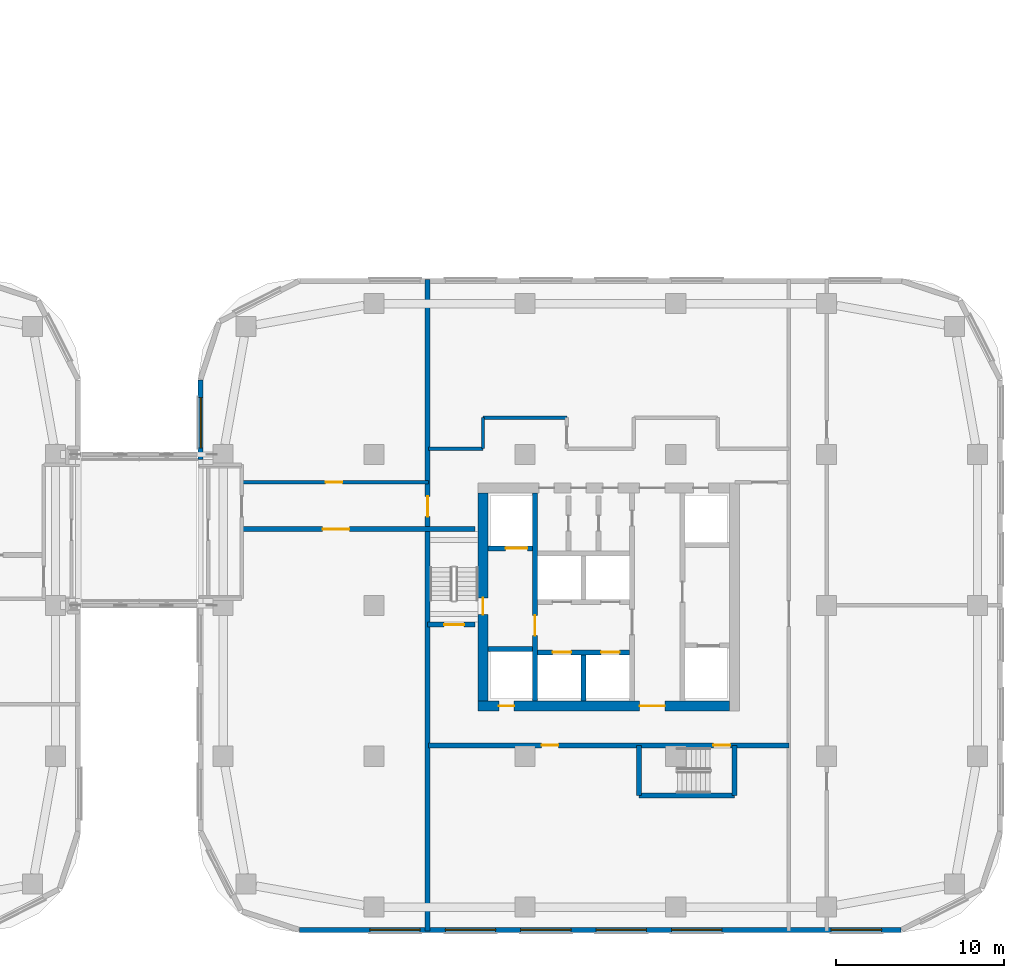
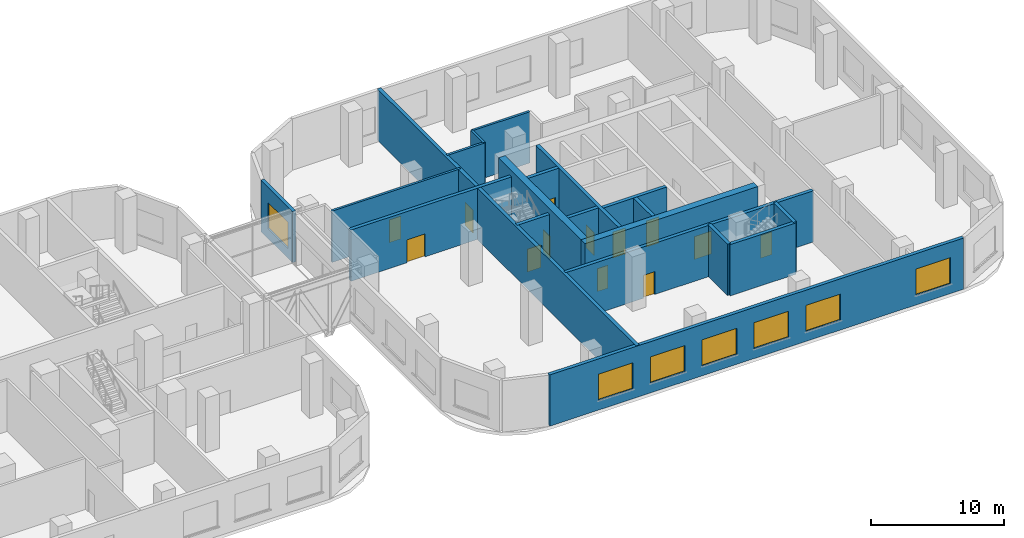
# One storey, part 12 of 35: 20 walls, 13 doors, 7 windows, 20 openings.
"""IFC4 building model written with IfcOpenShell, lengths in metres."""

from ifc_helpers import new_model, si_unit, direction, frame, frame_2d, origin, place, context, subcontext, project, spatial, rectangle, extrude, material, layer, layer_set, type_object, element, fill, save


model = new_model("IFC4")

# Units and contexts
model_context = context("Model", 3, precision=1e-05, world=origin(), true_north=direction((0.0, 1.0)))
body_context = subcontext(model_context, "Body", "Model", "MODEL_VIEW")
ifc_project = project(units=[si_unit("LENGTHUNIT", "METRE"), si_unit("AREAUNIT", "SQUARE_METRE"), si_unit("VOLUMEUNIT", "CUBIC_METRE"), si_unit("PLANEANGLEUNIT", "RADIAN"), si_unit("MASSUNIT", "GRAM", prefix="KILO")], contexts=[model_context])

# Site, building, storey
site_placement = place(None, origin())
site = spatial("IfcSite", under=ifc_project, at=site_placement, CompositionType="ELEMENT")
building_placement = place(site_placement, origin())
building = spatial("IfcBuilding", under=site, at=building_placement, Name="Ogive Portal Towers", CompositionType="ELEMENT")
storey_placement = place(building_placement, frame((0.0, 0.0, 23.5)))
storey = spatial("IfcBuildingStorey", under=building, at=storey_placement, Name="L04", CompositionType="ELEMENT", Elevation=23.5)

# Wall, opening, door
ifc_material_1 = material(Name="Concrete C60/75", Category="concrete")
ifc_layer_1 = layer(ifc_material_1, 0.300048828125)
ifc_layer_set_1 = layer_set([ifc_layer_1], Name="CORE WALL 300 C60")
wall_type_1 = type_object("IfcWallType", Name="CORE WALL 300 C60", PredefinedType="SHEAR", material=ifc_layer_set_1)
wall_1_placement = place(storey_placement, frame((132.10009765625, 24.800048828125, 0.0), z_axis=(0.0, 0.0, 1.0), x_axis=(0.0, 1.0, 0.0)))
wall_1 = element("IfcWall", 1, at=wall_1_placement, inside=storey, type_object=wall_type_1, Name="Tower B core wall BX1 L04", PredefinedType="SHEAR", context=body_context, shape_type="SweptSolid", body=[
    extrude(rectangle(XDim=12.39990234375, YDim=0.300048828125, at=frame_2d((6.199951171875, 0.0))), origin(), (0.0, 0.0, 1.0), 5.0),
])
opening_1_placement = place(wall_1_placement, frame((3.89990234375, 0.0, 0.0)))
opening_1 = element("IfcOpeningElement", 2, at=opening_1_placement, cuts=wall_1, Name="Opening P04-050", PredefinedType="OPENING", context=body_context, shape_type="SweptSolid", body=[
    extrude(rectangle(XDim=1.199951171875, YDim=2.10009765625, at=frame_2d((0.60009765625, 1.050048828125))), frame((0.0, 0.16015625, 0.0), z_axis=(0.0, -1.0, 0.0), x_axis=(1.0, 0.0, 0.0)), (0.0, 0.0, 1.0), 0.320068359375),
])
ifc_material_2 = material(Name="Steel fire door", Category="steel")
door_type_1 = type_object("IfcDoorType", Name="DT-SWING-1200x2100-FD90S", OperationType="SINGLE_SWING_LEFT", PredefinedType="DOOR", material=ifc_material_2)
door_1_placement = place(opening_1_placement, origin())
door_1 = element("IfcDoor", 3, at=door_1_placement, inside=storey, type_object=door_type_1, Name="Door P04-050", OperationType="SINGLE_SWING_LEFT", OverallHeight=2.10009765625, OverallWidth=1.199951171875, PredefinedType="DOOR", context=body_context, shape_type="SweptSolid", body=[
    extrude(rectangle(XDim=1.199951171875, YDim=2.10009765625, at=frame_2d((0.60009765625, 1.050048828125))), frame((0.0, 0.02490234375, 0.0), z_axis=(0.0, -1.0, 0.0), x_axis=(1.0, 0.0, 0.0)), (0.0, 0.0, 1.0), 0.050048828125),
])
fill(opening_1, door_1)

# Wall
wall_2_placement = place(storey_placement, frame((135.0, 24.800048828125, 0.0), z_axis=(0.0, 0.0, 1.0), x_axis=(0.0, 1.0, 0.0)))
element("IfcWall", 4, at=wall_2_placement, inside=storey, type_object=wall_type_1, Name="Tower B core wall BX4 L04", PredefinedType="SHEAR", context=body_context, shape_type="SweptSolid", body=[
    extrude(rectangle(XDim=2.75, YDim=0.300048828125, at=frame_2d((1.375, 0.0))), origin(), (0.0, 0.0, 1.0), 5.0),
])

# Wall, openings, doors
wall_3_placement = place(storey_placement, frame((132.25, 27.699951171875, 0.0), z_axis=(0.0, 0.0, 1.0), x_axis=(1.0, 0.0, 0.0)))
wall_3 = element("IfcWall", 5, at=wall_3_placement, inside=storey, type_object=wall_type_1, Name="Tower B core wall BY1 L04", PredefinedType="SHEAR", context=body_context, shape_type="SweptSolid", body=[
    extrude(rectangle(XDim=5.5, YDim=0.300048828125, at=frame_2d((2.75, 0.0))), origin(), (0.0, 0.0, 1.0), 5.0),
])
opening_2_placement = place(wall_3_placement, frame((0.89990234375, 0.0, 0.0)))
opening_2 = element("IfcOpeningElement", 6, at=opening_2_placement, cuts=wall_3, Name="Opening P04-057", PredefinedType="OPENING", context=body_context, shape_type="SweptSolid", body=[
    extrude(rectangle(XDim=1.10009765625, YDim=2.39990234375, at=frame_2d((0.550048828125, 1.199951171875))), frame((0.0, 0.16015625, 0.0), z_axis=(0.0, -1.0, 0.0), x_axis=(1.0, 0.0, 0.0)), (0.0, 0.0, 1.0), 0.320068359375),
])
opening_3_placement = place(wall_3_placement, frame((3.800048828125, 0.0, 0.0)))
opening_3 = element("IfcOpeningElement", 7, at=opening_3_placement, cuts=wall_3, Name="Opening P04-058", PredefinedType="OPENING", context=body_context, shape_type="SweptSolid", body=[
    extrude(rectangle(XDim=1.10009765625, YDim=2.39990234375, at=frame_2d((0.550048828125, 1.199951171875))), frame((0.0, 0.16015625, 0.0), z_axis=(0.0, -1.0, 0.0), x_axis=(1.0, 0.0, 0.0)), (0.0, 0.0, 1.0), 0.320068359375),
])
ifc_material_3 = material(Name="Stainless steel", Category="steel")
door_type_2 = type_object("IfcDoorType", Name="DT-LD-1100x2400", OperationType="SLIDING_TO_LEFT", PredefinedType="DOOR", material=ifc_material_3)
door_2_placement = place(opening_2_placement, origin())
door_2 = element("IfcDoor", 8, at=door_2_placement, inside=storey, type_object=door_type_2, Name="Door P04-057", OperationType="SLIDING_TO_LEFT", OverallHeight=2.39990234375, OverallWidth=1.10009765625, PredefinedType="DOOR", context=body_context, shape_type="SweptSolid", body=[
    extrude(rectangle(XDim=1.10009765625, YDim=2.39990234375, at=frame_2d((0.550048828125, 1.199951171875))), frame((0.0, 0.02490234375, 0.0), z_axis=(0.0, -1.0, 0.0), x_axis=(1.0, 0.0, 0.0)), (0.0, 0.0, 1.0), 0.050048828125),
])
fill(opening_2, door_2)
door_3_placement = place(opening_3_placement, origin())
door_3 = element("IfcDoor", 9, at=door_3_placement, inside=storey, type_object=door_type_2, Name="Door P04-058", OperationType="SLIDING_TO_LEFT", OverallHeight=2.39990234375, OverallWidth=1.10009765625, PredefinedType="DOOR", context=body_context, shape_type="SweptSolid", body=[
    extrude(rectangle(XDim=1.10009765625, YDim=2.39990234375, at=frame_2d((0.550048828125, 1.199951171875))), frame((0.0, 0.02490234375, 0.0), z_axis=(0.0, -1.0, 0.0), x_axis=(1.0, 0.0, 0.0)), (0.0, 0.0, 1.0), 0.050048828125),
])
fill(opening_3, door_3)

# Wall
wall_4_placement = place(storey_placement, frame((129.300048828125, 27.89990234375, 0.0), z_axis=(0.0, 0.0, 1.0), x_axis=(1.0, 0.0, 0.0)))
element("IfcWall", 10, at=wall_4_placement, inside=storey, type_object=wall_type_1, Name="Tower B core wall BY4 L04", PredefinedType="SHEAR", context=body_context, shape_type="SweptSolid", body=[
    extrude(rectangle(XDim=2.64990234375, YDim=0.300048828125, at=frame_2d((1.324951171875, 0.0))), origin(), (0.0, 0.0, 1.0), 5.0),
])

# Wall, opening, door
wall_5_placement = place(storey_placement, frame((129.300048828125, 33.89990234375, 0.0), z_axis=(0.0, 0.0, 1.0), x_axis=(1.0, 0.0, 0.0)))
wall_5 = element("IfcWall", 11, at=wall_5_placement, inside=storey, type_object=wall_type_1, Name="Tower B core wall BY5 L04", PredefinedType="SHEAR", context=body_context, shape_type="SweptSolid", body=[
    extrude(rectangle(XDim=2.64990234375, YDim=0.300048828125, at=frame_2d((1.324951171875, 0.0))), origin(), (0.0, 0.0, 1.0), 5.0),
])
opening_4_placement = place(wall_5_placement, frame((1.050048828125, 0.0, 0.0)))
opening_4 = element("IfcOpeningElement", 12, at=opening_4_placement, cuts=wall_5, Name="Opening P04-061", PredefinedType="OPENING", context=body_context, shape_type="SweptSolid", body=[
    extrude(rectangle(XDim=1.300048828125, YDim=2.39990234375, at=frame_2d((0.64990234375, 1.199951171875))), frame((0.0, 0.16015625, 0.0), z_axis=(0.0, -1.0, 0.0), x_axis=(1.0, 0.0, 0.0)), (0.0, 0.0, 1.0), 0.320068359375),
])
door_type_3 = type_object("IfcDoorType", Name="DT-LD-1300x2400", OperationType="SLIDING_TO_LEFT", PredefinedType="DOOR", material=ifc_material_3)
door_4_placement = place(opening_4_placement, origin())
door_4 = element("IfcDoor", 13, at=door_4_placement, inside=storey, type_object=door_type_3, Name="Door P04-061", OperationType="SLIDING_TO_LEFT", OverallHeight=2.39990234375, OverallWidth=1.300048828125, PredefinedType="DOOR", context=body_context, shape_type="SweptSolid", body=[
    extrude(rectangle(XDim=1.300048828125, YDim=2.39990234375, at=frame_2d((0.64990234375, 1.199951171875))), frame((0.0, 0.02490234375, 0.0), z_axis=(0.0, -1.0, 0.0), x_axis=(1.0, 0.0, 0.0)), (0.0, 0.0, 1.0), 0.050048828125),
])
fill(opening_4, door_4)

ifc_layer_2 = layer(ifc_material_1, 0.60009765625)
ifc_layer_set_2 = layer_set([ifc_layer_2], Name="CORE WALL 600 C60")
wall_type_2 = type_object("IfcWallType", Name="CORE WALL 600 C60", PredefinedType="SHEAR", material=ifc_layer_set_2)
wall_6_placement = place(storey_placement, frame((129.0, 24.800048828125, 0.0), z_axis=(0.0, 0.0, 1.0), x_axis=(0.0, 1.0, 0.0)))
wall_6 = element("IfcWall", 14, at=wall_6_placement, inside=storey, type_object=wall_type_2, Name="Tower B core wall BW L04", PredefinedType="SHEAR", context=body_context, shape_type="SweptSolid", body=[
    extrude(rectangle(XDim=12.39990234375, YDim=0.60009765625, at=frame_2d((6.199951171875, 0.0))), origin(), (0.0, 0.0, 1.0), 5.0),
])
opening_5_placement = place(wall_6_placement, frame((5.14990234375, 0.0, 0.0)))
opening_5 = element("IfcOpeningElement", 15, at=opening_5_placement, cuts=wall_6, Name="Opening P04-052", PredefinedType="OPENING", context=body_context, shape_type="SweptSolid", body=[
    extrude(rectangle(XDim=1.0, YDim=2.10009765625, at=frame_2d((0.5, 1.050048828125))), frame((0.0, 0.31005859375, 0.0), z_axis=(0.0, -1.0, 0.0), x_axis=(1.0, 0.0, 0.0)), (0.0, 0.0, 1.0), 0.6201171875),
])
door_type_4 = type_object("IfcDoorType", Name="DT-SWING-1000x2100-FD90S", OperationType="SINGLE_SWING_LEFT", PredefinedType="DOOR", material=ifc_material_2)
door_5_placement = place(opening_5_placement, origin())
door_5 = element("IfcDoor", 16, at=door_5_placement, inside=storey, type_object=door_type_4, Name="Door P04-052", OperationType="SINGLE_SWING_RIGHT", OverallHeight=2.10009765625, OverallWidth=1.0, PredefinedType="DOOR", context=body_context, shape_type="SweptSolid", body=[
    extrude(rectangle(XDim=1.0, YDim=2.10009765625, at=frame_2d((0.5, 1.050048828125))), frame((0.0, 0.02490234375, 0.0), z_axis=(0.0, -1.0, 0.0), x_axis=(1.0, 0.0, 0.0)), (0.0, 0.0, 1.0), 0.050048828125),
])
fill(opening_5, door_5)

# Wall, openings, doors
wall_7_placement = place(storey_placement, frame((128.699951171875, 24.5, 0.0), z_axis=(0.0, 0.0, 1.0), x_axis=(1.0, 0.0, 0.0)))
wall_7 = element("IfcWall", 17, at=wall_7_placement, inside=storey, type_object=wall_type_2, Name="Tower B core wall BS L04", PredefinedType="SHEAR", context=body_context, shape_type="SweptSolid", body=[
    extrude(rectangle(XDim=15.0, YDim=0.60009765625, at=frame_2d((7.5, 0.0))), origin(), (0.0, 0.0, 1.0), 5.0),
])
opening_6_placement = place(wall_7_placement, frame((9.64990234375, 0.0, 0.0)))
opening_6 = element("IfcOpeningElement", 18, at=opening_6_placement, cuts=wall_7, Name="Opening P04-053", PredefinedType="OPENING", context=body_context, shape_type="SweptSolid", body=[
    extrude(rectangle(XDim=1.5, YDim=2.10009765625, at=frame_2d((0.75, 1.050048828125))), frame((0.0, 0.31005859375, 0.0), z_axis=(0.0, -1.0, 0.0), x_axis=(1.0, 0.0, 0.0)), (0.0, 0.0, 1.0), 0.6201171875),
])
opening_7_placement = place(wall_7_placement, frame((1.25, 0.0, 0.0)))
opening_7 = element("IfcOpeningElement", 19, at=opening_7_placement, cuts=wall_7, Name="Opening P04-055", PredefinedType="OPENING", context=body_context, shape_type="SweptSolid", body=[
    extrude(rectangle(XDim=0.89990234375, YDim=2.10009765625, at=frame_2d((0.449951171875, 1.050048828125))), frame((0.0, 0.31005859375, 0.0), z_axis=(0.0, -1.0, 0.0), x_axis=(1.0, 0.0, 0.0)), (0.0, 0.0, 1.0), 0.6201171875),
])
door_type_5 = type_object("IfcDoorType", Name="DT-SWING-1500x2100-FD90S", OperationType="SINGLE_SWING_LEFT", PredefinedType="DOOR", material=ifc_material_2)
door_6_placement = place(opening_6_placement, origin())
door_6 = element("IfcDoor", 20, at=door_6_placement, inside=storey, type_object=door_type_5, Name="Door P04-053", OperationType="SINGLE_SWING_LEFT", OverallHeight=2.10009765625, OverallWidth=1.5, PredefinedType="DOOR", context=body_context, shape_type="SweptSolid", body=[
    extrude(rectangle(XDim=1.5, YDim=2.10009765625, at=frame_2d((0.75, 1.050048828125))), frame((0.0, 0.02490234375, 0.0), z_axis=(0.0, -1.0, 0.0), x_axis=(1.0, 0.0, 0.0)), (0.0, 0.0, 1.0), 0.050048828125),
])
fill(opening_6, door_6)
door_type_6 = type_object("IfcDoorType", Name="DT-SWING-900x2100-FD90S", OperationType="SINGLE_SWING_LEFT", PredefinedType="DOOR", material=ifc_material_2)
door_7_placement = place(opening_7_placement, origin())
door_7 = element("IfcDoor", 21, at=door_7_placement, inside=storey, type_object=door_type_6, Name="Riser access door P04-055", OperationType="SINGLE_SWING_LEFT", OverallHeight=2.10009765625, OverallWidth=0.89990234375, PredefinedType="DOOR", context=body_context, shape_type="SweptSolid", body=[
    extrude(rectangle(XDim=0.89990234375, YDim=2.10009765625, at=frame_2d((0.449951171875, 1.050048828125))), frame((0.0, 0.02490234375, 0.0), z_axis=(0.0, -1.0, 0.0), x_axis=(1.0, 0.0, 0.0)), (0.0, 0.0, 1.0), 0.050048828125),
])
fill(opening_7, door_7)

# Wall, openings, windows
ifc_material_4 = material(Name="Limestone cladding on lightweight block wall", Category="masonry")
ifc_layer_3 = layer(ifc_material_4, 0.300048828125)
ifc_layer_set_3 = layer_set([ifc_layer_3], Name="EXTERNAL WALL 300 STONE")
wall_type_3 = type_object("IfcWallType", Name="EXTERNAL WALL 300 STONE", PredefinedType="SOLIDWALL", material=ifc_layer_set_3)
wall_8_placement = place(storey_placement, frame((118.047607421875, 11.14990234375, 0.0), z_axis=(0.0, 0.0, 1.0), x_axis=(1.0, 0.0, 0.0)))
wall_8 = element("IfcWall", 22, at=wall_8_placement, inside=storey, type_object=wall_type_3, Name="B:L04:f02:w0", PredefinedType="SOLIDWALL", context=body_context, shape_type="SweptSolid", body=[
    extrude(rectangle(XDim=35.88037109375, YDim=0.300048828125, at=frame_2d((17.940185546875, 0.0))), origin(), (0.0, 0.0, 1.0), 4.699951171875),
])
opening_8_placement = place(wall_8_placement, frame((4.202392578125, 0.0, 0.89990234375)))
opening_8 = element("IfcOpeningElement", 23, at=opening_8_placement, cuts=wall_8, Name="Opening WN3", PredefinedType="OPENING", context=body_context, shape_type="SweptSolid", body=[
    extrude(rectangle(XDim=3.0, YDim=2.39990234375, at=frame_2d((1.5, 1.199951171875))), frame((0.0, 0.16015625, 0.0), z_axis=(0.0, -1.0, 0.0), x_axis=(1.0, 0.0, 0.0)), (0.0, 0.0, 1.0), 0.320068359375),
])
opening_9_placement = place(wall_8_placement, frame((8.702392578125, 0.0, 0.89990234375)))
opening_9 = element("IfcOpeningElement", 24, at=opening_9_placement, cuts=wall_8, Name="Opening WN3", PredefinedType="OPENING", context=body_context, shape_type="SweptSolid", body=[
    extrude(rectangle(XDim=3.0, YDim=2.39990234375, at=frame_2d((1.5, 1.199951171875))), frame((0.0, 0.16015625, 0.0), z_axis=(0.0, -1.0, 0.0), x_axis=(1.0, 0.0, 0.0)), (0.0, 0.0, 1.0), 0.320068359375),
])
opening_10_placement = place(wall_8_placement, frame((13.202392578125, 0.0, 0.89990234375)))
opening_10 = element("IfcOpeningElement", 25, at=opening_10_placement, cuts=wall_8, Name="Opening WN3", PredefinedType="OPENING", context=body_context, shape_type="SweptSolid", body=[
    extrude(rectangle(XDim=3.0, YDim=2.39990234375, at=frame_2d((1.5, 1.199951171875))), frame((0.0, 0.16015625, 0.0), z_axis=(0.0, -1.0, 0.0), x_axis=(1.0, 0.0, 0.0)), (0.0, 0.0, 1.0), 0.320068359375),
])
opening_11_placement = place(wall_8_placement, frame((17.702392578125, 0.0, 0.89990234375)))
opening_11 = element("IfcOpeningElement", 26, at=opening_11_placement, cuts=wall_8, Name="Opening WN3", PredefinedType="OPENING", context=body_context, shape_type="SweptSolid", body=[
    extrude(rectangle(XDim=3.0, YDim=2.39990234375, at=frame_2d((1.5, 1.199951171875))), frame((0.0, 0.16015625, 0.0), z_axis=(0.0, -1.0, 0.0), x_axis=(1.0, 0.0, 0.0)), (0.0, 0.0, 1.0), 0.320068359375),
])
opening_12_placement = place(wall_8_placement, frame((22.202392578125, 0.0, 0.89990234375)))
opening_12 = element("IfcOpeningElement", 27, at=opening_12_placement, cuts=wall_8, Name="Opening WN3", PredefinedType="OPENING", context=body_context, shape_type="SweptSolid", body=[
    extrude(rectangle(XDim=3.0, YDim=2.39990234375, at=frame_2d((1.5, 1.199951171875))), frame((0.0, 0.16015625, 0.0), z_axis=(0.0, -1.0, 0.0), x_axis=(1.0, 0.0, 0.0)), (0.0, 0.0, 1.0), 0.320068359375),
])
opening_13_placement = place(wall_8_placement, frame((31.726318359375, 0.0, 0.89990234375)))
opening_13 = element("IfcOpeningElement", 28, at=opening_13_placement, cuts=wall_8, Name="Opening WN3", PredefinedType="OPENING", context=body_context, shape_type="SweptSolid", body=[
    extrude(rectangle(XDim=3.0, YDim=2.39990234375, at=frame_2d((1.5, 1.199951171875))), frame((0.0, 0.16015625, 0.0), z_axis=(0.0, -1.0, 0.0), x_axis=(1.0, 0.0, 0.0)), (0.0, 0.0, 1.0), 0.320068359375),
])
ifc_material_5 = material(Name="Glass, clear low-iron insulated glazing", Category="glass")
window_type = type_object("IfcWindowType", Name="WINDOW PODIUM 3000x2400", PartitioningType="SINGLE_PANEL", PredefinedType="WINDOW", material=ifc_material_5)
window_1_placement = place(opening_8_placement, origin())
window_1 = element("IfcWindow", 29, at=window_1_placement, inside=storey, type_object=window_type, Name="B:L04:f02:w0:o1a", OverallHeight=2.39990234375, OverallWidth=3.0, PartitioningType="SINGLE_PANEL", PredefinedType="WINDOW", context=body_context, shape_type="SweptSolid", body=[
    extrude(rectangle(XDim=3.0, YDim=2.39990234375, at=frame_2d((1.5, 1.199951171875))), frame((0.0, 0.030029296875, 0.0), z_axis=(0.0, -1.0, 0.0), x_axis=(1.0, 0.0, 0.0)), (0.0, 0.0, 1.0), 0.06005859375),
])
fill(opening_8, window_1)
window_2_placement = place(opening_9_placement, origin())
window_2 = element("IfcWindow", 30, at=window_2_placement, inside=storey, type_object=window_type, Name="B:L04:f02:w0:o1b", OverallHeight=2.39990234375, OverallWidth=3.0, PartitioningType="SINGLE_PANEL", PredefinedType="WINDOW", context=body_context, shape_type="SweptSolid", body=[
    extrude(rectangle(XDim=3.0, YDim=2.39990234375, at=frame_2d((1.5, 1.199951171875))), frame((0.0, 0.030029296875, 0.0), z_axis=(0.0, -1.0, 0.0), x_axis=(1.0, 0.0, 0.0)), (0.0, 0.0, 1.0), 0.06005859375),
])
fill(opening_9, window_2)
window_3_placement = place(opening_10_placement, origin())
window_3 = element("IfcWindow", 31, at=window_3_placement, inside=storey, type_object=window_type, Name="B:L04:f02:w0:o2a", OverallHeight=2.39990234375, OverallWidth=3.0, PartitioningType="SINGLE_PANEL", PredefinedType="WINDOW", context=body_context, shape_type="SweptSolid", body=[
    extrude(rectangle(XDim=3.0, YDim=2.39990234375, at=frame_2d((1.5, 1.199951171875))), frame((0.0, 0.030029296875, 0.0), z_axis=(0.0, -1.0, 0.0), x_axis=(1.0, 0.0, 0.0)), (0.0, 0.0, 1.0), 0.06005859375),
])
fill(opening_10, window_3)
window_4_placement = place(opening_11_placement, origin())
window_4 = element("IfcWindow", 32, at=window_4_placement, inside=storey, type_object=window_type, Name="B:L04:f02:w0:o2b", OverallHeight=2.39990234375, OverallWidth=3.0, PartitioningType="SINGLE_PANEL", PredefinedType="WINDOW", context=body_context, shape_type="SweptSolid", body=[
    extrude(rectangle(XDim=3.0, YDim=2.39990234375, at=frame_2d((1.5, 1.199951171875))), frame((0.0, 0.030029296875, 0.0), z_axis=(0.0, -1.0, 0.0), x_axis=(1.0, 0.0, 0.0)), (0.0, 0.0, 1.0), 0.06005859375),
])
fill(opening_11, window_4)
window_5_placement = place(opening_12_placement, origin())
window_5 = element("IfcWindow", 33, at=window_5_placement, inside=storey, type_object=window_type, Name="B:L04:f02:w0:o3a", OverallHeight=2.39990234375, OverallWidth=3.0, PartitioningType="SINGLE_PANEL", PredefinedType="WINDOW", context=body_context, shape_type="SweptSolid", body=[
    extrude(rectangle(XDim=3.0, YDim=2.39990234375, at=frame_2d((1.5, 1.199951171875))), frame((0.0, 0.030029296875, 0.0), z_axis=(0.0, -1.0, 0.0), x_axis=(1.0, 0.0, 0.0)), (0.0, 0.0, 1.0), 0.06005859375),
])
fill(opening_12, window_5)
window_6_placement = place(opening_13_placement, origin())
window_6 = element("IfcWindow", 34, at=window_6_placement, inside=storey, type_object=window_type, Name="B:L04:f02:w0:o4", OverallHeight=2.39990234375, OverallWidth=3.0, PartitioningType="SINGLE_PANEL", PredefinedType="WINDOW", context=body_context, shape_type="SweptSolid", body=[
    extrude(rectangle(XDim=3.0, YDim=2.39990234375, at=frame_2d((1.5, 1.199951171875))), frame((0.0, 0.030029296875, 0.0), z_axis=(0.0, -1.0, 0.0), x_axis=(1.0, 0.0, 0.0)), (0.0, 0.0, 1.0), 0.06005859375),
])
fill(opening_13, window_6)

# Wall, opening, window
wall_9_placement = place(storey_placement, frame((112.14990234375, 43.952392578125, 0.0), z_axis=(0.0, 0.0, 1.0), x_axis=(0.0, -1.0, 0.0)))
wall_9 = element("IfcWall", 35, at=wall_9_placement, inside=storey, type_object=wall_type_3, Name="B:L04:f11:w0", PredefinedType="SOLIDWALL", context=body_context, shape_type="SweptSolid", body=[
    extrude(rectangle(XDim=4.75244140625, YDim=0.300048828125, at=frame_2d((2.376220703125, 0.0))), origin(), (0.0, 0.0, 1.0), 4.699951171875),
])
opening_14_placement = place(wall_9_placement, frame((1.050048828125, 0.0, 0.89990234375)))
opening_14 = element("IfcOpeningElement", 36, at=opening_14_placement, cuts=wall_9, Name="Opening WN3", PredefinedType="OPENING", context=body_context, shape_type="SweptSolid", body=[
    extrude(rectangle(XDim=3.0, YDim=2.39990234375, at=frame_2d((1.5, 1.199951171875))), frame((0.0, 0.16015625, 0.0), z_axis=(0.0, -1.0, 0.0), x_axis=(1.0, 0.0, 0.0)), (0.0, 0.0, 1.0), 0.320068359375),
])
window_7_placement = place(opening_14_placement, origin())
window_7 = element("IfcWindow", 37, at=window_7_placement, inside=storey, type_object=window_type, Name="B:L04:f11:w0:o0", OverallHeight=2.39990234375, OverallWidth=3.0, PartitioningType="SINGLE_PANEL", PredefinedType="WINDOW", context=body_context, shape_type="SweptSolid", body=[
    extrude(rectangle(XDim=3.0, YDim=2.39990234375, at=frame_2d((1.5, 1.199951171875))), frame((0.0, 0.030029296875, 0.0), z_axis=(0.0, -1.0, 0.0), x_axis=(1.0, 0.0, 0.0)), (0.0, 0.0, 1.0), 0.06005859375),
])
fill(opening_14, window_7)

# Wall
ifc_material_6 = material(Name="Concrete C50/60", Category="concrete")
ifc_layer_4 = layer(ifc_material_6, 0.300048828125)
ifc_layer_set_4 = layer_set([ifc_layer_4], Name="STAIR WALL 300 C50")
wall_type_4 = type_object("IfcWallType", Name="STAIR WALL 300 C50", PredefinedType="SHEAR", material=ifc_layer_set_4)
wall_10_placement = place(storey_placement, frame((138.300048828125, 19.14990234375, 0.0), z_axis=(0.0, 0.0, 1.0), x_axis=(1.0, 0.0, 0.0)))
element("IfcWall", 38, at=wall_10_placement, inside=storey, type_object=wall_type_4, Name="Stair wall ST-B2 L04", PredefinedType="SHEAR", context=body_context, shape_type="SweptSolid", body=[
    extrude(rectangle(XDim=5.699951171875, YDim=0.300048828125, at=frame_2d((2.85009765625, 0.0))), origin(), (0.0, 0.0, 1.0), 4.699951171875),
])

# Wall, openings, doors
wall_11_placement = place(storey_placement, frame((125.75, 22.14990234375, 0.0), z_axis=(0.0, 0.0, 1.0), x_axis=(1.0, 0.0, 0.0)))
wall_11 = element("IfcWall", 39, at=wall_11_placement, inside=storey, type_object=wall_type_4, Name="Stair wall ST-B2 L04", PredefinedType="SHEAR", context=body_context, shape_type="SweptSolid", body=[
    extrude(rectangle(XDim=21.5, YDim=0.300048828125, at=frame_2d((10.75, 0.0))), origin(), (0.0, 0.0, 1.0), 4.699951171875),
])
opening_15_placement = place(wall_11_placement, frame((17.0, 0.0, 0.0)))
opening_15 = element("IfcOpeningElement", 40, at=opening_15_placement, cuts=wall_11, Name="Opening P04-035", PredefinedType="OPENING", context=body_context, shape_type="SweptSolid", body=[
    extrude(rectangle(XDim=1.0, YDim=2.10009765625, at=frame_2d((0.5, 1.050048828125))), frame((0.0, 0.16015625, 0.0), z_axis=(0.0, -1.0, 0.0), x_axis=(1.0, 0.0, 0.0)), (0.0, 0.0, 1.0), 0.320068359375),
])
opening_16_placement = place(wall_11_placement, frame((6.75, 0.0, 0.0)))
opening_16 = element("IfcOpeningElement", 41, at=opening_16_placement, cuts=wall_11, Name="Opening P04-045", PredefinedType="OPENING", context=body_context, shape_type="SweptSolid", body=[
    extrude(rectangle(XDim=1.0, YDim=2.10009765625, at=frame_2d((0.5, 1.050048828125))), frame((0.0, 0.16015625, 0.0), z_axis=(0.0, -1.0, 0.0), x_axis=(1.0, 0.0, 0.0)), (0.0, 0.0, 1.0), 0.320068359375),
])
door_8_placement = place(opening_15_placement, origin())
door_8 = element("IfcDoor", 42, at=door_8_placement, inside=storey, type_object=door_type_4, Name="Door P04-035", OperationType="SINGLE_SWING_LEFT", OverallHeight=2.10009765625, OverallWidth=1.0, PredefinedType="DOOR", context=body_context, shape_type="SweptSolid", body=[
    extrude(rectangle(XDim=1.0, YDim=2.10009765625, at=frame_2d((0.5, 1.050048828125))), frame((0.0, 0.02490234375, 0.0), z_axis=(0.0, -1.0, 0.0), x_axis=(1.0, 0.0, 0.0)), (0.0, 0.0, 1.0), 0.050048828125),
])
fill(opening_15, door_8)
door_9_placement = place(opening_16_placement, origin())
door_9 = element("IfcDoor", 43, at=door_9_placement, inside=storey, type_object=door_type_4, Name="Door P04-045", OperationType="SINGLE_SWING_LEFT", OverallHeight=2.10009765625, OverallWidth=1.0, PredefinedType="DOOR", context=body_context, shape_type="SweptSolid", body=[
    extrude(rectangle(XDim=1.0, YDim=2.10009765625, at=frame_2d((0.5, 1.050048828125))), frame((0.0, 0.02490234375, 0.0), z_axis=(0.0, -1.0, 0.0), x_axis=(1.0, 0.0, 0.0)), (0.0, 0.0, 1.0), 0.050048828125),
])
fill(opening_16, door_9)

# Wall, opening, door
wall_12_placement = place(storey_placement, frame((125.699951171875, 29.35009765625, 0.0), z_axis=(0.0, 0.0, 1.0), x_axis=(1.0, 0.0, 0.0)))
wall_12 = element("IfcWall", 44, at=wall_12_placement, inside=storey, type_object=wall_type_4, Name="Stair wall ST-B1 L04", PredefinedType="SHEAR", context=body_context, shape_type="SweptSolid", body=[
    extrude(rectangle(XDim=2.830078125, YDim=0.300048828125, at=frame_2d((1.4150390625, 0.0))), origin(), (0.0, 0.0, 1.0), 4.699951171875),
])
opening_17_placement = place(wall_12_placement, frame((0.97509765625, 0.0, 0.0)))
opening_17 = element("IfcOpeningElement", 45, at=opening_17_placement, cuts=wall_12, Name="Opening P04-034", PredefinedType="OPENING", context=body_context, shape_type="SweptSolid", body=[
    extrude(rectangle(XDim=1.199951171875, YDim=2.10009765625, at=frame_2d((0.60009765625, 1.050048828125))), frame((0.0, 0.16015625, 0.0), z_axis=(0.0, -1.0, 0.0), x_axis=(1.0, 0.0, 0.0)), (0.0, 0.0, 1.0), 0.320068359375),
])
door_10_placement = place(opening_17_placement, origin())
door_10 = element("IfcDoor", 46, at=door_10_placement, inside=storey, type_object=door_type_1, Name="Door P04-034", OperationType="SINGLE_SWING_RIGHT", OverallHeight=2.10009765625, OverallWidth=1.199951171875, PredefinedType="DOOR", context=body_context, shape_type="SweptSolid", body=[
    extrude(rectangle(XDim=1.199951171875, YDim=2.10009765625, at=frame_2d((0.60009765625, 1.050048828125))), frame((0.0, 0.02490234375, 0.0), z_axis=(0.0, -1.0, 0.0), x_axis=(1.0, 0.0, 0.0)), (0.0, 0.0, 1.0), 0.050048828125),
])
fill(opening_17, door_10)

wall_13_placement = place(storey_placement, frame((114.60009765625, 35.050048828125, 0.0), z_axis=(0.0, 0.0, 1.0), x_axis=(1.0, 0.0, 0.0)))
wall_13 = element("IfcWall", 47, at=wall_13_placement, inside=storey, type_object=wall_type_4, Name="Stair wall ST-B1 L04", PredefinedType="SHEAR", context=body_context, shape_type="SweptSolid", body=[
    extrude(rectangle(XDim=13.929931640625, YDim=0.300048828125, at=frame_2d((6.96484375, 0.0))), origin(), (0.0, 0.0, 1.0), 4.699951171875),
])
opening_18_placement = place(wall_13_placement, frame((4.830078125, 0.0, 0.0)))
opening_18 = element("IfcOpeningElement", 48, at=opening_18_placement, cuts=wall_13, Name="Opening P04-041", PredefinedType="OPENING", context=body_context, shape_type="SweptSolid", body=[
    extrude(rectangle(XDim=1.60009765625, YDim=2.10009765625, at=frame_2d((0.800048828125, 1.050048828125))), frame((0.0, 0.16015625, 0.0), z_axis=(0.0, -1.0, 0.0), x_axis=(1.0, 0.0, 0.0)), (0.0, 0.0, 1.0), 0.320068359375),
])
door_type_7 = type_object("IfcDoorType", Name="DT-SWING-1600x2100-FD90S", OperationType="SINGLE_SWING_LEFT", PredefinedType="DOOR", material=ifc_material_2)
door_11_placement = place(opening_18_placement, origin())
door_11 = element("IfcDoor", 49, at=door_11_placement, inside=storey, type_object=door_type_7, Name="Door P04-041", OperationType="SINGLE_SWING_LEFT", OverallHeight=2.10009765625, OverallWidth=1.60009765625, PredefinedType="DOOR", context=body_context, shape_type="SweptSolid", body=[
    extrude(rectangle(XDim=1.60009765625, YDim=2.10009765625, at=frame_2d((0.800048828125, 1.050048828125))), frame((0.0, 0.02490234375, 0.0), z_axis=(0.0, -1.0, 0.0), x_axis=(1.0, 0.0, 0.0)), (0.0, 0.0, 1.0), 0.050048828125),
])
fill(opening_18, door_11)

wall_14_placement = place(storey_placement, frame((125.699951171875, 11.070068359375, 0.0), z_axis=(0.0, 0.0, 1.0), x_axis=(0.0, 1.0, 0.0)))
wall_14 = element("IfcWall", 50, at=wall_14_placement, inside=storey, type_object=wall_type_4, Name="Stair wall ST-B1 L04", PredefinedType="SHEAR", context=body_context, shape_type="SweptSolid", body=[
    extrude(rectangle(XDim=38.85986328125, YDim=0.300048828125, at=frame_2d((19.429931640625, 0.0))), origin(), (0.0, 0.0, 1.0), 4.699951171875),
])
opening_19_placement = place(wall_14_placement, frame((24.72998046875, 0.0, 0.0)))
opening_19 = element("IfcOpeningElement", 51, at=opening_19_placement, cuts=wall_14, Name="Opening P04-039", PredefinedType="OPENING", context=body_context, shape_type="SweptSolid", body=[
    extrude(rectangle(XDim=1.199951171875, YDim=2.10009765625, at=frame_2d((0.60009765625, 1.050048828125))), frame((0.0, 0.16015625, 0.0), z_axis=(0.0, -1.0, 0.0), x_axis=(1.0, 0.0, 0.0)), (0.0, 0.0, 1.0), 0.320068359375),
])
door_12_placement = place(opening_19_placement, origin())
door_12 = element("IfcDoor", 52, at=door_12_placement, inside=storey, type_object=door_type_1, Name="Door P04-039", OperationType="SINGLE_SWING_LEFT", OverallHeight=2.10009765625, OverallWidth=1.199951171875, PredefinedType="DOOR", context=body_context, shape_type="SweptSolid", body=[
    extrude(rectangle(XDim=1.199951171875, YDim=2.10009765625, at=frame_2d((0.60009765625, 1.050048828125))), frame((0.0, 0.02490234375, 0.0), z_axis=(0.0, -1.0, 0.0), x_axis=(1.0, 0.0, 0.0)), (0.0, 0.0, 1.0), 0.050048828125),
])
fill(opening_19, door_12)

# Walls
for number, where, z_axis, x_axis, name in (
    (53, (138.300048828125, 19.14990234375, 0.0), (0.0, 0.0, 1.0), (0.0, 1.0, 0.0), "Stair wall ST-B2 L04"),
    (54, (144.0, 19.14990234375, 0.0), (0.0, 0.0, 1.0), (0.0, 1.0, 0.0), "Stair wall ST-B2 L04"),
):
    element("IfcWall", number, at=place(storey_placement, frame(where, z_axis=z_axis, x_axis=x_axis)), inside=storey, type_object=wall_type_4, Name=name, PredefinedType="SHEAR", context=body_context, shape_type="SweptSolid", body=[
        extrude(rectangle(XDim=3.0, YDim=0.300048828125, at=frame_2d((1.5, 0.0))), origin(), (0.0, 0.0, 1.0), 4.699951171875),
    ])

# Wall, opening, door
ifc_material_7 = material(Name="Gypsum board partition on steel studs", Category="steel")
ifc_layer_5 = layer(ifc_material_7, 0.199951171875)
ifc_layer_set_5 = layer_set([ifc_layer_5], Name="WT-PART-200-EI 60")
wall_type_5 = type_object("IfcWallType", Name="WT-PART-200-EI 60", PredefinedType="PARTITIONING", material=ifc_layer_set_5)
wall_15_placement = place(storey_placement, frame((114.60009765625, 37.85009765625, 0.0), z_axis=(0.0, 0.0, 1.0), x_axis=(1.0, 0.0, 0.0)))
wall_15 = element("IfcWall", 55, at=wall_15_placement, inside=storey, type_object=wall_type_5, Name="Wall L04:w023", PredefinedType="PARTITIONING", context=body_context, shape_type="SweptSolid", body=[
    extrude(rectangle(XDim=11.14990234375, YDim=0.199951171875, at=frame_2d((5.574951171875, 0.0))), origin(), (0.0, 0.0, 1.0), 4.699951171875),
])
opening_20_placement = place(wall_15_placement, frame((5.0048828125, 0.0, 0.0)))
opening_20 = element("IfcOpeningElement", 56, at=opening_20_placement, cuts=wall_15, Name="Opening P04-042", PredefinedType="OPENING", context=body_context, shape_type="SweptSolid", body=[
    extrude(rectangle(XDim=1.0, YDim=2.10009765625, at=frame_2d((0.5, 1.050048828125))), frame((0.0, 0.10986328125, 0.0), z_axis=(0.0, -1.0, 0.0), x_axis=(1.0, 0.0, 0.0)), (0.0, 0.0, 1.0), 0.219970703125),
])
door_type_8 = type_object("IfcDoorType", Name="DT-SWING-1000x2100-FD60S", OperationType="SINGLE_SWING_LEFT", PredefinedType="DOOR", material=ifc_material_2)
door_13_placement = place(opening_20_placement, origin())
door_13 = element("IfcDoor", 57, at=door_13_placement, inside=storey, type_object=door_type_8, Name="Door P04-042", OperationType="SINGLE_SWING_RIGHT", OverallHeight=2.10009765625, OverallWidth=1.0, PredefinedType="DOOR", context=body_context, shape_type="SweptSolid", body=[
    extrude(rectangle(XDim=1.0, YDim=2.10009765625, at=frame_2d((0.5, 1.050048828125))), frame((0.0, 0.02490234375, 0.0), z_axis=(0.0, -1.0, 0.0), x_axis=(1.0, 0.0, 0.0)), (0.0, 0.0, 1.0), 0.050048828125),
])
fill(opening_20, door_13)

# Walls
wall_16_placement = place(storey_placement, frame((125.75, 39.85009765625, 0.0), z_axis=(0.0, 0.0, 1.0), x_axis=(1.0, 0.0, 0.0)))
element("IfcWall", 58, at=wall_16_placement, inside=storey, type_object=wall_type_5, Name="Wall L04:w032", PredefinedType="PARTITIONING", context=body_context, shape_type="SweptSolid", body=[
    extrude(rectangle(XDim=3.25, YDim=0.199951171875, at=frame_2d((1.625, 0.0))), origin(), (0.0, 0.0, 1.0), 4.699951171875),
])
wall_17_placement = place(storey_placement, frame((129.0, 41.699951171875, 0.0), z_axis=(0.0, 0.0, 1.0), x_axis=(1.0, 0.0, 0.0)))
element("IfcWall", 59, at=wall_17_placement, inside=storey, type_object=wall_type_5, Name="Wall L04:w036", PredefinedType="PARTITIONING", context=body_context, shape_type="SweptSolid", body=[
    extrude(rectangle(XDim=5.0, YDim=0.199951171875, at=frame_2d((2.5, 0.0))), origin(), (0.0, 0.0, 1.0), 4.699951171875),
])
wall_18_placement = place(storey_placement, frame((129.0, 39.85009765625, 0.0), z_axis=(0.0, 0.0, 1.0), x_axis=(0.0, 1.0, 0.0)))
element("IfcWall", 60, at=wall_18_placement, inside=storey, type_object=wall_type_5, Name="Wall L04:w067", PredefinedType="PARTITIONING", context=body_context, shape_type="SweptSolid", body=[
    extrude(rectangle(XDim=1.849853515625, YDim=0.199951171875, at=frame_2d((0.9248046875, 0.0))), origin(), (0.0, 0.0, 1.0), 4.699951171875),
])

save(model, "model.ifc")
